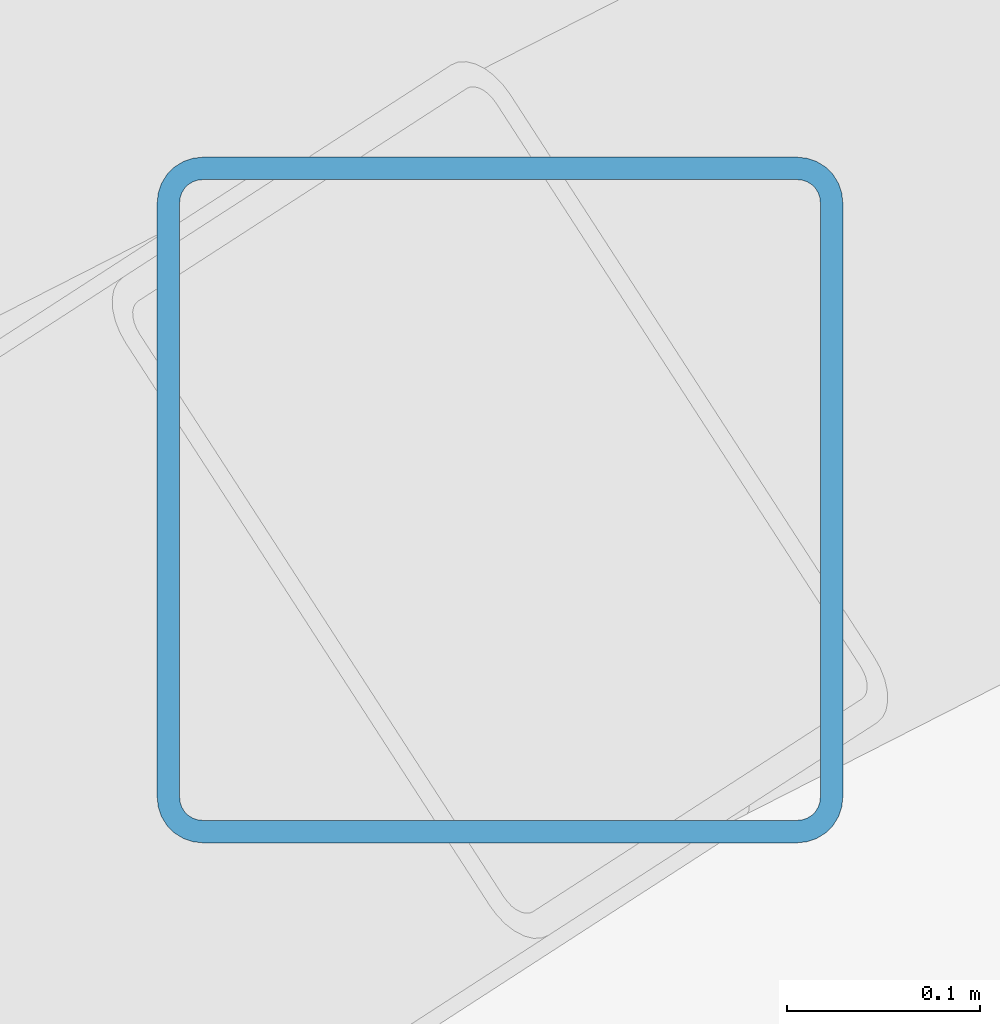
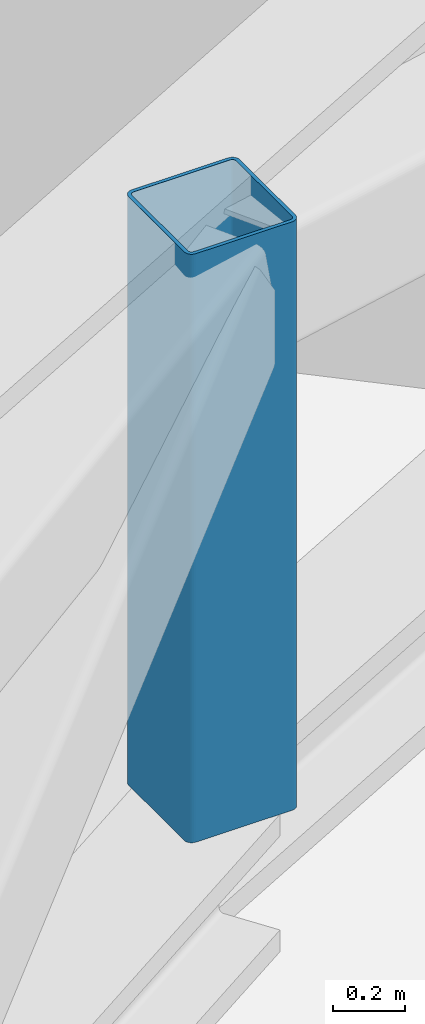
# One storey, part 4 of 24: 1 member.
"""IFC4 building model written with IfcOpenShell, lengths in metres."""

from ifc_helpers import new_model, si_unit, direction, frame, origin, origin_2d, place, context, subcontext, project, spatial, hollow_rectangle, extrude, material, material_profile, profile_set, type_object, element, save


model = new_model("IFC4")

# Units and contexts
model_context = context("Model", 3, precision=1e-05, world=origin(), true_north=direction((0.0, 1.0)))
body_context = subcontext(model_context, "Body", "Model", "MODEL_VIEW")
ifc_project = project(units=[si_unit("LENGTHUNIT", "METRE"), si_unit("AREAUNIT", "SQUARE_METRE"), si_unit("VOLUMEUNIT", "CUBIC_METRE"), si_unit("PLANEANGLEUNIT", "RADIAN"), si_unit("MASSUNIT", "GRAM", prefix="KILO")], contexts=[model_context])

# Site, building, storey
site_placement = place(None, origin())
site = spatial("IfcSite", under=ifc_project, at=site_placement, CompositionType="ELEMENT")
building_placement = place(site_placement, origin())
building = spatial("IfcBuilding", under=site, at=building_placement, Name="Tramontana Tower", CompositionType="ELEMENT")
storey_placement = place(building_placement, frame((0.0, 0.0, 120.39990234375)))
storey = spatial("IfcBuildingStorey", under=building, at=storey_placement, Name="L27", CompositionType="ELEMENT", Elevation=120.39990234375)

# Member
ifc_material = material(Name="Steel ASTM A500 Grade C", Category="steel")
ifc_material_profile = material_profile(ifc_material, hollow_rectangle(XDim=0.355712890625, YDim=0.355712890625, WallThickness=0.01171875, InnerFilletRadius=0.01171875, OuterFilletRadius=0.023681640625, at=origin_2d()), Name="HSS14X14X1/2")
ifc_profile_set = profile_set([ifc_material_profile], Name="Steel ASTM A500 Grade C")
member_type = type_object("IfcMemberType", Name="Belt truss HSS14X14X1/2 post", PredefinedType="POST", material=ifc_profile_set)
member_placement = place(storey_placement, frame((7.740478515625, -15.191650390625, 2.86376953125), z_axis=(0.0, 0.0, 1.0), x_axis=(1.0, 0.0, 0.0)))
element("IfcMember", 1, at=member_placement, inside=storey, type_object=member_type, Name="Belt truss post C3F08", PredefinedType="POST", context=body_context, shape_type="SweptSolid", body=[
    extrude(hollow_rectangle(XDim=0.355712890625, YDim=0.355712890625, WallThickness=0.01171875, InnerFilletRadius=0.01171875, OuterFilletRadius=0.023681640625, at=origin_2d()), origin(), (0.0, 0.0, 1.0), 1.986328125),
])

save(model, "model.ifc")
